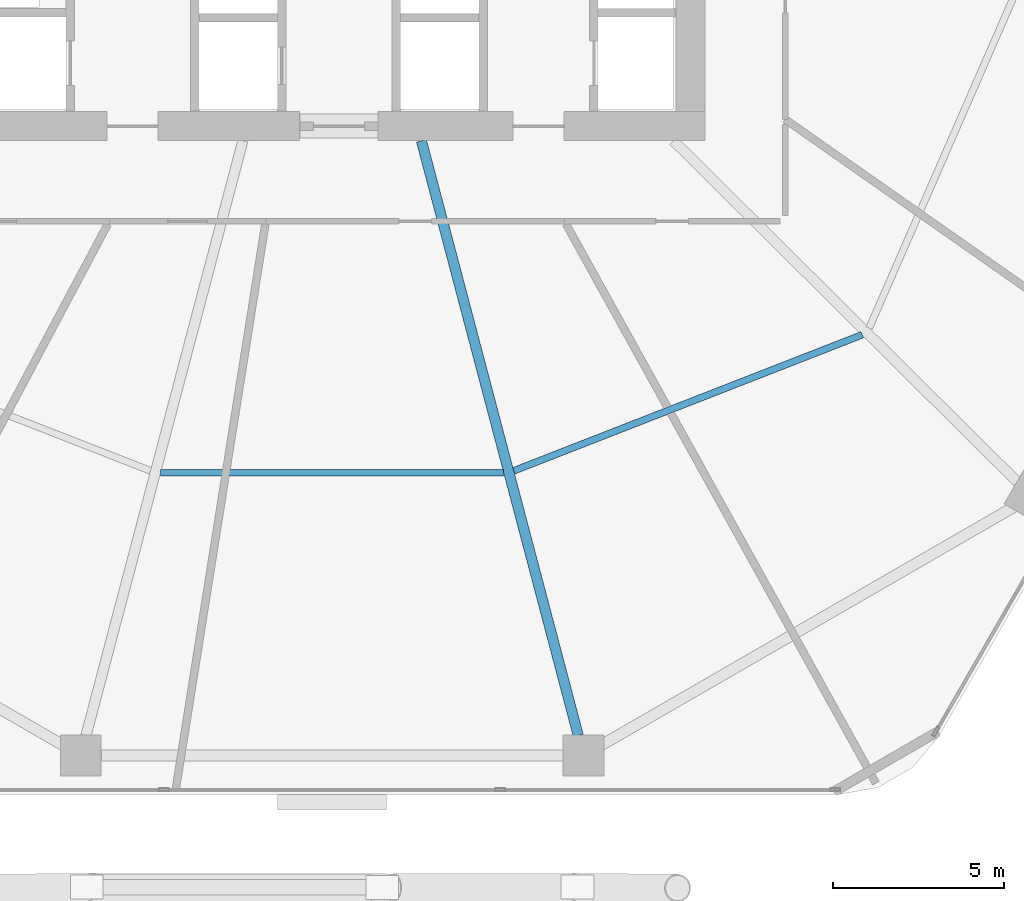
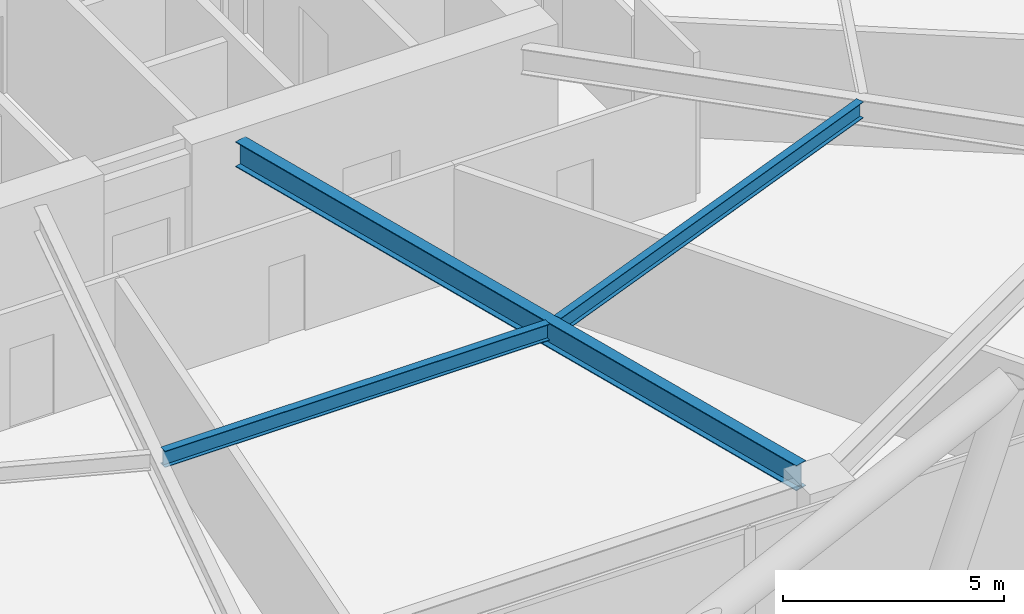
# One storey, part 8 of 30: 3 beams.
"""IFC4 building model written with IfcOpenShell, lengths in metres."""

from ifc_helpers import new_model, si_unit, direction, frame, origin, origin_2d, place, context, subcontext, project, spatial, i_section, extrude, material, material_profile, profile_set, type_object, element, save


model = new_model("IFC4")

# Units and contexts
model_context = context("Model", 3, precision=1e-05, world=origin(), true_north=direction((0.0, 1.0)))
body_context = subcontext(model_context, "Body", "Model", "MODEL_VIEW")
ifc_project = project(units=[si_unit("LENGTHUNIT", "METRE"), si_unit("AREAUNIT", "SQUARE_METRE"), si_unit("VOLUMEUNIT", "CUBIC_METRE"), si_unit("PLANEANGLEUNIT", "RADIAN"), si_unit("MASSUNIT", "GRAM", prefix="KILO")], contexts=[model_context])

# Site, building, storey
site_placement = place(None, origin())
site = spatial("IfcSite", under=ifc_project, at=site_placement, CompositionType="ELEMENT")
building_placement = place(site_placement, origin())
building = spatial("IfcBuilding", under=site, at=building_placement, Name="Zuhravey Tower", CompositionType="ELEMENT")
storey_placement = place(building_placement, frame((0.0, 0.0, 33.0)))
storey = spatial("IfcBuildingStorey", under=building, at=storey_placement, Name="L08", CompositionType="ELEMENT", Elevation=33.0)

# Beams
ifc_material = material(Name="Steel SM355", Category="steel")
ifc_material_profile_1 = material_profile(ifc_material, i_section(OverallWidth=0.300048828125, OverallDepth=0.699951171875, WebThickness=0.012939453125, FlangeThickness=0.02392578125, at=origin_2d()), Name="H-700x300x13x24")
ifc_profile_set_1 = profile_set([ifc_material_profile_1], Name="Steel SM355")
beam_type_1 = type_object("IfcBeamType", Name="Radial Primary Girder H700x300", PredefinedType="BEAM", material=ifc_profile_set_1)
beam_1_placement = place(storey_placement, frame((38.617919921875, 22.072021484375, 3.570068359375), z_axis=(0.254989720435, -0.966943763862, 0.0), x_axis=(0.966943763862, 0.254989720435, 0.0)))
element("IfcBeam", 1, at=beam_1_placement, inside=storey, type_object=beam_type_1, Name="L08 RG1 BM-L08-RAD-10", PredefinedType="BEAM", context=body_context, shape_type="SweptSolid", body=[
    extrude(i_section(OverallWidth=0.300048828125, OverallDepth=0.699951171875, WebThickness=0.012939453125, FlangeThickness=0.02392578125, at=origin_2d()), origin(), (0.0, 0.0, 1.0), 18.03369140625),
])
ifc_material_profile_2 = material_profile(ifc_material, i_section(OverallWidth=0.199951171875, OverallDepth=0.449951171875, WebThickness=0.009033203125, FlangeThickness=0.013916015625, at=origin_2d()), Name="H-450x200x9x14")
ifc_profile_set_2 = profile_set([ifc_material_profile_2], Name="Steel SM355")
beam_type_2 = type_object("IfcBeamType", Name="Secondary Floor Joist H450x200", PredefinedType="JOIST", material=ifc_profile_set_2)
beam_2_placement = place(storey_placement, frame((30.969970703125, 12.3408203125, 3.695068359375), z_axis=(1.0, 0.0, 0.0), x_axis=(0.0, 1.0, 0.0)))
element("IfcBeam", 2, at=beam_2_placement, inside=storey, type_object=beam_type_2, Name="L08 SJ1 BM-L08-SJ-09-1", PredefinedType="JOIST", context=body_context, shape_type="SweptSolid", body=[
    extrude(i_section(OverallWidth=0.199951171875, OverallDepth=0.449951171875, WebThickness=0.009033203125, FlangeThickness=0.013916015625, at=origin_2d()), origin(), (0.0, 0.0, 1.0), 10.06005859375),
])
beam_3_placement = place(storey_placement, frame((41.32763671875, 12.39697265625, 3.695068359375), z_axis=(0.931516535886, 0.363698973562, 0.0), x_axis=(-0.363698973562, 0.931516535886, 0.0)))
element("IfcBeam", 3, at=beam_3_placement, inside=storey, type_object=beam_type_2, Name="L08 SJ1 BM-L08-SJ-10-1", PredefinedType="JOIST", context=body_context, shape_type="SweptSolid", body=[
    extrude(i_section(OverallWidth=0.199951171875, OverallDepth=0.449951171875, WebThickness=0.009033203125, FlangeThickness=0.013916015625, at=origin_2d()), origin(), (0.0, 0.0, 1.0), 10.963134765625),
])

save(model, "model.ifc")
